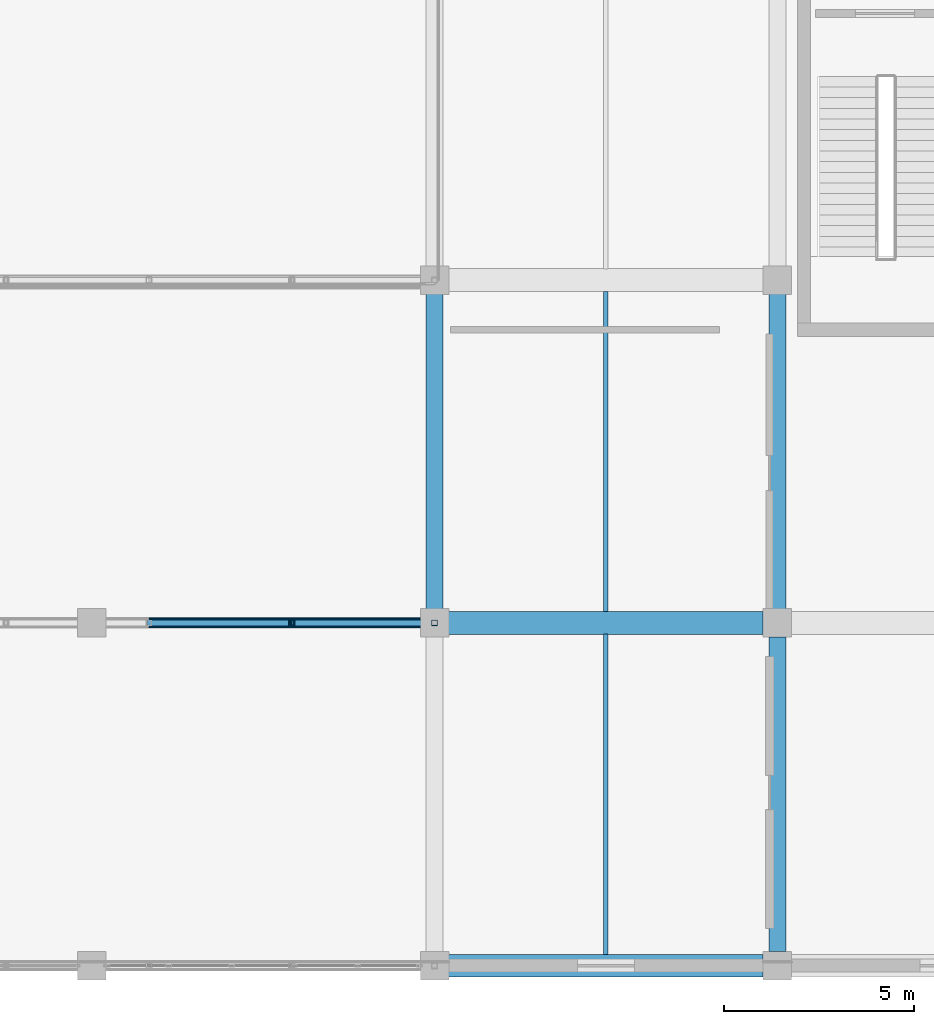
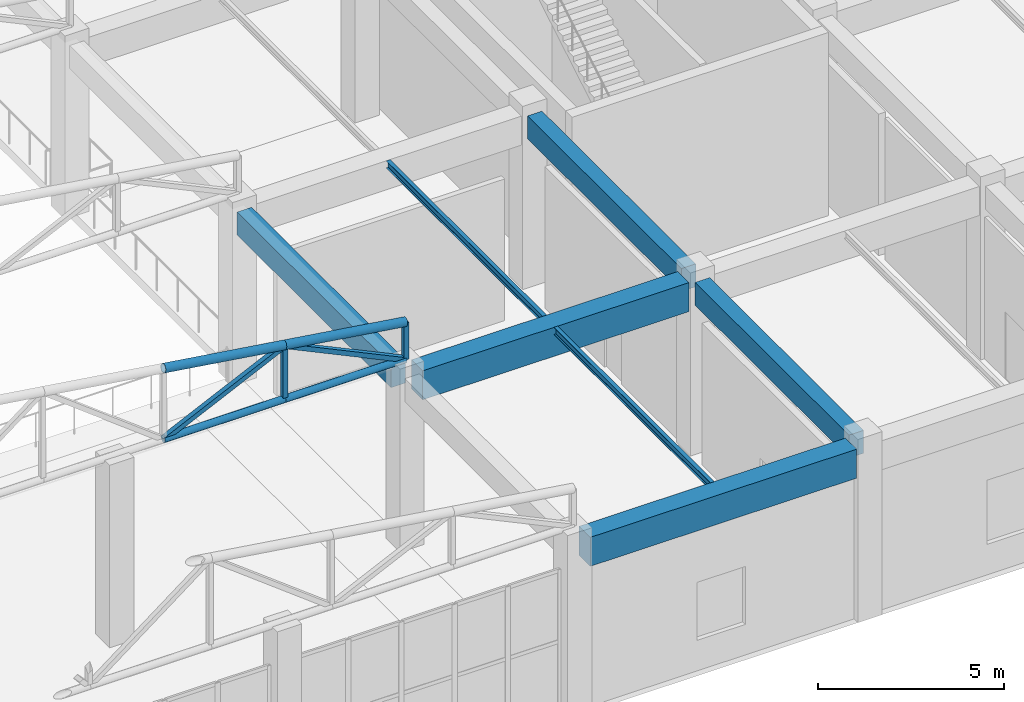
# One storey, part 64 of 223: 8 members, 7 beams.
"""IFC4 building model written with IfcOpenShell, lengths in metres."""

from ifc_helpers import new_model, si_unit, direction, frame, origin, origin_2d, place, context, subcontext, project, spatial, rectangle, hollow_rectangle, hollow_circle, i_section, extrude, material, material_profile, profile_set, type_object, element, save


model = new_model("IFC4")

# Units and contexts
model_context = context("Model", 3, precision=1e-05, world=origin(), true_north=direction((0.0, 1.0)))
body_context = subcontext(model_context, "Body", "Model", "MODEL_VIEW")
ifc_project = project(units=[si_unit("LENGTHUNIT", "METRE"), si_unit("AREAUNIT", "SQUARE_METRE"), si_unit("VOLUMEUNIT", "CUBIC_METRE"), si_unit("PLANEANGLEUNIT", "RADIAN"), si_unit("MASSUNIT", "GRAM", prefix="KILO")], contexts=[model_context])

# Site, building, storey
site_placement = place(None, origin())
site = spatial("IfcSite", under=ifc_project, at=site_placement, CompositionType="ELEMENT")
building_placement = place(site_placement, origin())
building = spatial("IfcBuilding", under=site, at=building_placement, Name="Dornveld Trade and Exhibition Forum", CompositionType="ELEMENT")
storey_placement = place(building_placement, frame((0.0, 0.0, 6.0)))
storey = spatial("IfcBuildingStorey", under=building, at=storey_placement, Name="L01", CompositionType="ELEMENT", Elevation=6.0)

# Beams
ifc_material_1 = material(Name="Steel S355J2", Category="steel")
ifc_material_profile_1 = material_profile(ifc_material_1, i_section(OverallWidth=0.1201171875, OverallDepth=0.239990234375, WebThickness=0.006103515625, FlangeThickness=0.009765625, FilletRadius=0.014892578125, at=origin_2d()), Name="IPE 240")
ifc_profile_set_1 = profile_set([ifc_material_profile_1], Name="Steel S355J2")
beam_type_1 = type_object("IfcBeamType", Name="BM-JOIST-240", PredefinedType="JOIST", material=ifc_profile_set_1)
for number, where, z_axis, x_axis, name in (
    (1, (202.5, 0.297119140625, 5.52001953125), (0.0, 1.0, 0.0), (-1.0, 0.0, 0.0), "L01 secondary joist 1319"),
    (2, (202.5, 9.297119140625, 5.52001953125), (0.0, 1.0, 0.0), (-1.0, 0.0, 0.0), "L01 secondary joist 1320"),
):
    element("IfcBeam", number, at=place(storey_placement, frame(where, z_axis=z_axis, x_axis=x_axis)), inside=storey, type_object=beam_type_1, Name=name, PredefinedType="JOIST", context=body_context, shape_type="SweptSolid", body=[
        extrude(i_section(OverallWidth=0.1201171875, OverallDepth=0.239990234375, WebThickness=0.006103515625, FlangeThickness=0.009765625, FilletRadius=0.014892578125, at=origin_2d()), origin(), (0.0, 0.0, 1.0), 8.40576171875),
    ])
ifc_material_2 = material(Name="Precast concrete C50/60", Category="concrete")
ifc_material_profile_2 = material_profile(ifc_material_2, rectangle(XDim=0.449951171875, YDim=0.75, at=origin_2d()), Name="PC-BM 450x750")
ifc_profile_set_2 = profile_set([ifc_material_profile_2], Name="Precast concrete C50/60")
beam_type_2 = type_object("IfcBeamType", Name="BM-PC-450x750", PredefinedType="BEAM", material=ifc_profile_set_2)
for number, where, z_axis, x_axis, name in (
    (3, (198.0, 9.37109375, 5.264892578125), (0.0, 1.0, 0.0), (-1.0, 0.0, 0.0), "L01 Y-girder 1296"),
    (4, (207.0, 0.37109375, 5.264892578125), (0.0, 1.0, 0.0), (-1.0, 0.0, 0.0), "L01 Y-girder 1301"),
    (5, (207.0, 9.37109375, 5.264892578125), (0.0, 1.0, 0.0), (-1.0, 0.0, 0.0), "L01 Y-girder 1302"),
):
    element("IfcBeam", number, at=place(storey_placement, frame(where, z_axis=z_axis, x_axis=x_axis)), inside=storey, type_object=beam_type_2, Name=name, PredefinedType="BEAM", context=body_context, shape_type="SweptSolid", body=[
        extrude(rectangle(XDim=0.449951171875, YDim=0.75, at=origin_2d()), origin(), (0.0, 0.0, 1.0), 8.2578125),
    ])
ifc_material_3 = material(Name="Precast concrete C50/60", Category="concrete")
ifc_material_profile_3 = material_profile(ifc_material_3, rectangle(XDim=0.60009765625, YDim=0.949951171875, at=origin_2d()), Name="PC-GIR 600x950")
ifc_profile_set_3 = profile_set([ifc_material_profile_3], Name="Precast concrete C50/60")
beam_type_3 = type_object("IfcBeamType", Name="BM-PC-600x950", PredefinedType="T_BEAM", material=ifc_profile_set_3)
for number, where, z_axis, x_axis, name in (
    (6, (198.37109375, 0.0, 5.1650390625), (1.0, 0.0, 0.0), (0.0, 1.0, 0.0), "L01 X-girder 1276"),
    (7, (198.37109375, 9.0, 5.1650390625), (1.0, 0.0, 0.0), (0.0, 1.0, 0.0), "L01 X-girder 1279"),
):
    element("IfcBeam", number, at=place(storey_placement, frame(where, z_axis=z_axis, x_axis=x_axis)), inside=storey, type_object=beam_type_3, Name=name, PredefinedType="T_BEAM", context=body_context, shape_type="SweptSolid", body=[
        extrude(rectangle(XDim=0.60009765625, YDim=0.949951171875, at=origin_2d()), origin(), (0.0, 0.0, 1.0), 8.2578125),
    ])

# Members
ifc_material_4 = material(Name="Steel S355J2", Category="steel")
ifc_material_profile_4 = material_profile(ifc_material_4, hollow_rectangle(XDim=0.14990234375, YDim=0.14990234375, WallThickness=0.008056640625, at=origin_2d()), Name="SHS 150x150x8")
ifc_profile_set_4 = profile_set([ifc_material_profile_4], Name="Steel S355J2")
member_type_1 = type_object("IfcMemberType", Name="MEM-ARCH-STR", PredefinedType="STRUT", material=ifc_profile_set_4)
member_1_placement = place(storey_placement, frame((194.25, 9.0, 5.97998046875), z_axis=(0.0, 0.0, 1.0), x_axis=(1.0, 0.0, 0.0)))
element("IfcMember", 8, at=member_1_placement, inside=storey, type_object=member_type_1, Name="Congress roof truss 2 post 12", PredefinedType="STRUT", context=body_context, shape_type="SweptSolid", body=[
    extrude(hollow_rectangle(XDim=0.14990234375, YDim=0.14990234375, WallThickness=0.008056640625, at=origin_2d()), origin(), (0.0, 0.0, 1.0), 1.77001953125),
])
member_2_placement = place(storey_placement, frame((198.0, 9.0, 5.97998046875), z_axis=(0.0, 0.0, 1.0), x_axis=(1.0, 0.0, 0.0)))
element("IfcMember", 9, at=member_2_placement, inside=storey, type_object=member_type_1, Name="Congress roof truss 2 east end post", PredefinedType="STRUT", context=body_context, shape_type="SweptSolid", body=[
    extrude(hollow_rectangle(XDim=0.14990234375, YDim=0.14990234375, WallThickness=0.008056640625, at=origin_2d()), origin(), (0.0, 0.0, 1.0), 1.219970703125),
])
ifc_material_5 = material(Name="Steel S355J2", Category="steel")
ifc_material_profile_5 = material_profile(ifc_material_5, hollow_circle(Radius=0.109619140625, WallThickness=0.010009765625, at=origin_2d()), Name="CHS 219.1x10")
ifc_profile_set_5 = profile_set([ifc_material_profile_5], Name="Steel S355J2")
member_type_2 = type_object("IfcMemberType", Name="MEM-CONG-BC", PredefinedType="CHORD", material=ifc_profile_set_5)
for number, where, z_axis, x_axis, name in (
    (10, (190.5, 9.0, 5.97998046875), (1.0, 0.0, 0.0), (0.0, 1.0, 0.0), "Congress roof truss 2 bottom chord 11"),
    (11, (194.25, 9.0, 5.97998046875), (1.0, 0.0, 0.0), (0.0, 1.0, 0.0), "Congress roof truss 2 bottom chord 12"),
):
    element("IfcMember", number, at=place(storey_placement, frame(where, z_axis=z_axis, x_axis=x_axis)), inside=storey, type_object=member_type_2, Name=name, PredefinedType="CHORD", context=body_context, shape_type="SweptSolid", body=[
        extrude(hollow_circle(Radius=0.109619140625, WallThickness=0.010009765625, at=origin_2d()), origin(), (0.0, 0.0, 1.0), 3.75),
    ])
ifc_material_6 = material(Name="Steel S355J2", Category="steel")
ifc_material_profile_6 = material_profile(ifc_material_6, hollow_circle(Radius=0.136474609375, WallThickness=0.012451171875, at=origin_2d()), Name="CHS 273x12.5")
ifc_profile_set_6 = profile_set([ifc_material_profile_6], Name="Steel S355J2")
member_type_3 = type_object("IfcMemberType", Name="MEM-CONG-TC", PredefinedType="CHORD", material=ifc_profile_set_6)
for number, where, z_axis, x_axis, name in (
    (12, (190.5, 9.0, 8.300048828125), (0.989413064489, 0.0, -0.145126799108), (0.0, 1.0, 0.0), "Congress roof truss 2 top chord 11"),
    (13, (194.25, 9.0, 7.75), (0.989413064489, 0.0, -0.145126799108), (0.0, 1.0, 0.0), "Congress roof truss 2 top chord 12"),
):
    element("IfcMember", number, at=place(storey_placement, frame(where, z_axis=z_axis, x_axis=x_axis)), inside=storey, type_object=member_type_3, Name=name, PredefinedType="CHORD", context=body_context, shape_type="SweptSolid", body=[
        extrude(hollow_circle(Radius=0.136474609375, WallThickness=0.012451171875, at=origin_2d()), origin(), (0.0, 0.0, 1.0), 3.7900390625),
    ])
ifc_material_7 = material(Name="Steel S355J2", Category="steel")
ifc_material_profile_7 = material_profile(ifc_material_7, hollow_rectangle(XDim=0.14990234375, YDim=0.14990234375, WallThickness=0.008056640625, at=origin_2d()), Name="SHS 150x150x8")
ifc_profile_set_7 = profile_set([ifc_material_profile_7], Name="Steel S355J2")
member_type_4 = type_object("IfcMemberType", Name="MEM-CONG-WEB", PredefinedType="BRACE", material=ifc_profile_set_7)
for number, where, z_axis, x_axis, name in (
    (14, (190.5, 9.0, 5.97998046875), (0.904324408902, 0.0, 0.426845831025), (0.0, 1.0, 0.0), "Congress roof truss 2 web 11"),
    (15, (198.0, 9.0, 5.97998046875), (-0.904324408902, 0.0, 0.426845831025), (0.0, -1.0, 0.0), "Congress roof truss 2 web 12"),
):
    element("IfcMember", number, at=place(storey_placement, frame(where, z_axis=z_axis, x_axis=x_axis)), inside=storey, type_object=member_type_4, Name=name, PredefinedType="BRACE", context=body_context, shape_type="SweptSolid", body=[
        extrude(hollow_rectangle(XDim=0.14990234375, YDim=0.14990234375, WallThickness=0.008056640625, at=origin_2d()), origin(), (0.0, 0.0, 1.0), 4.146728515625),
    ])

save(model, "model.ifc")
